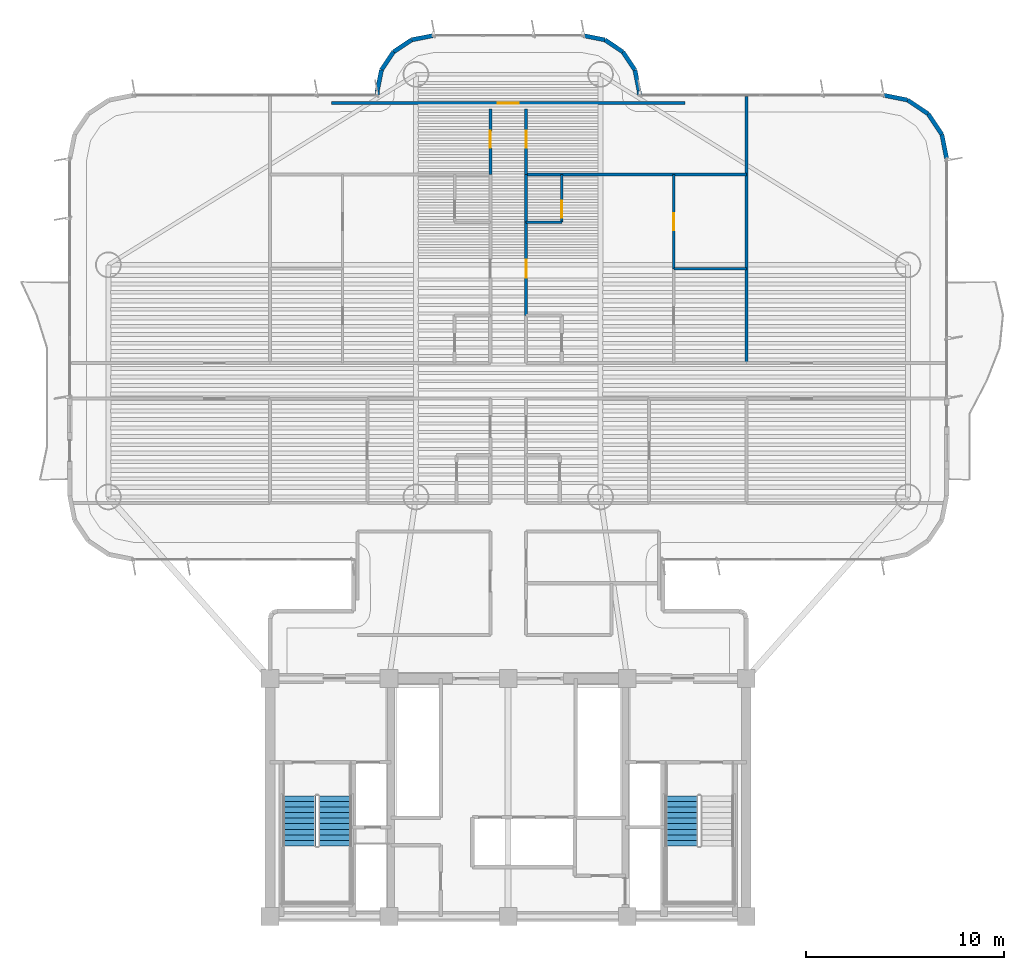
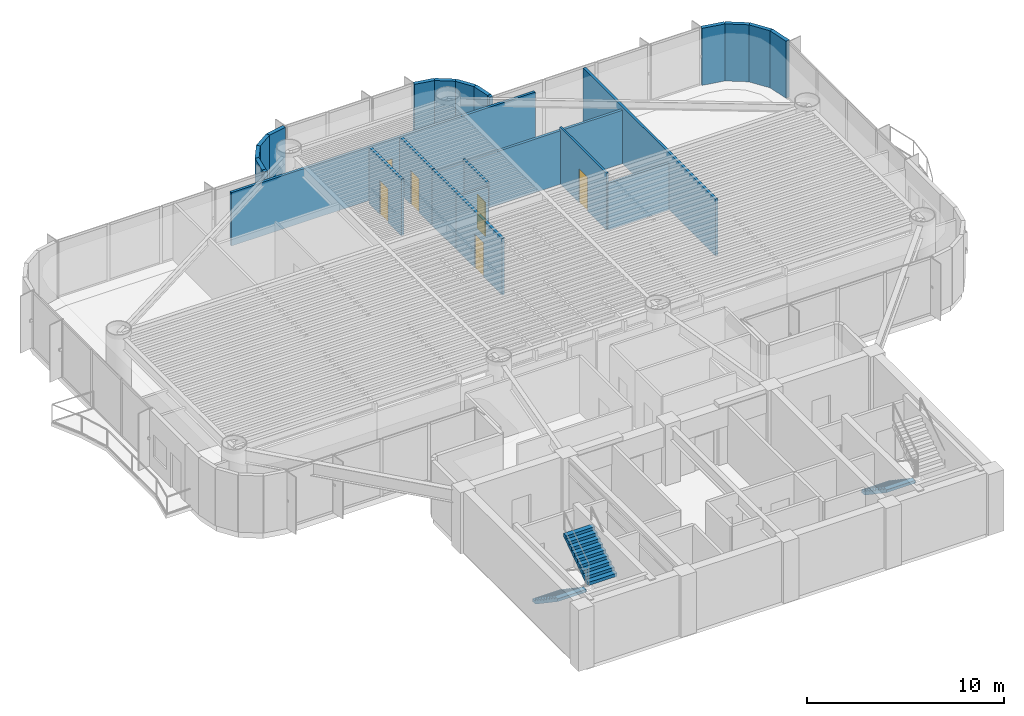
# One storey, part 12 of 17: 25 walls, 6 doors, 3 stair flights, 6 openings, 2 elements without a shape of their own.
"""IFC4 building model written with IfcOpenShell, lengths in metres."""

import ifcopenshell
import ifcopenshell.guid

model = None  # the IFC model being written
_history = None  # IfcOwnerHistory: only IFC2X3 demands one
_inside = {}  # id of a spatial element -> (the spatial element, [elements in it])
_under = {}  # id of a project, library or spatial element -> (it, [spatial elements below it])
_declared = {}  # id of a project -> (the project, [libraries it declares])
_typed = {}  # id of a type object -> (the type object, [elements of that type])
_made_of = {}  # id of a material, layer set ... -> (it, [elements and type objects made of it])


def new_model(schema):
    """Start an empty IFC model of exactly this schema.

    Asked for "IFC4X3", IfcOpenShell would pick the latest addendum, in which some entities
    have other attributes; the version numbers below select the first issue.
    IFC2X3 requires an IfcOwnerHistory on every rooted entity: one is made here for all.
    """
    global model, _history
    if schema == "IFC4X3":
        model = ifcopenshell.file(schema_version=(4, 3, 0, 0))
    else:
        model = ifcopenshell.file(schema=schema)
    _inside.clear()
    _under.clear()
    _declared.clear()
    _typed.clear()
    _made_of.clear()
    _history = None
    if model.schema == "IFC2X3":
        org = make("IfcOrganization", Name="unknown")
        user = make(
            "IfcPersonAndOrganization",
            ThePerson=make("IfcPerson", FamilyName="unknown"),
            TheOrganization=org,
        )
        app = make(
            "IfcApplication",
            ApplicationDeveloper=org,
            Version="unknown",
            ApplicationFullName="unknown",
            ApplicationIdentifier="unknown",
        )
        _history = make(
            "IfcOwnerHistory",
            OwningUser=user,
            OwningApplication=app,
            ChangeAction="ADDED",
            CreationDate=0,
        )
    return model


def make(cls, **values):
    """One entity of the class cls with the attributes given. An attribute that is None is left unset."""
    return model.create_entity(
        cls, **{name: value for name, value in values.items() if value is not None}
    )


def rooted(cls, **values):
    """An entity with a GlobalId (a new one), such as an element, a storey or a relation."""
    return make(cls, GlobalId=ifcopenshell.guid.new(), OwnerHistory=_history, **values)


def si_unit(unit_type, name, prefix=None):
    """IfcSIUnit, for example si_unit("LENGTHUNIT", "METRE", prefix="MILLI")."""
    return make("IfcSIUnit", UnitType=unit_type, Prefix=prefix, Name=name)


def assignment(units):
    """IfcUnitAssignment: the units of a project."""
    return None if units is None else make("IfcUnitAssignment", Units=units)


def point(xyz):
    """IfcCartesianPoint."""
    return None if xyz is None else make("IfcCartesianPoint", Coordinates=xyz)


def direction(xyz):
    """IfcDirection."""
    return None if xyz is None else make("IfcDirection", DirectionRatios=xyz)


def frame(location, z_axis=None, x_axis=None):
    """IfcAxis2Placement3D, a coordinate frame: its origin and axes. An axis left out is left unset."""
    return make(
        "IfcAxis2Placement3D",
        Location=point(location),
        Axis=direction(z_axis),
        RefDirection=direction(x_axis),
    )


def frame_2d(location, x_axis=None):
    """IfcAxis2Placement2D, a coordinate frame in the plane: its origin and x axis."""
    return make(
        "IfcAxis2Placement2D", Location=point(location), RefDirection=direction(x_axis)
    )


def origin():
    """The frame at (0, 0, 0) with its axes left unset."""
    return frame((0.0, 0.0, 0.0))


def origin_2d():
    """The frame at (0, 0) in the plane with its x axis left unset."""
    return frame_2d((0.0, 0.0))


def place(relative_to, where):
    """IfcLocalPlacement: puts the frame where relative to a parent placement (None: the world)."""
    return make(
        "IfcLocalPlacement", PlacementRelTo=relative_to, RelativePlacement=where
    )


def context(
    kind, dimensions, precision=None, world=None, true_north=None, identifier=None
):
    """IfcGeometricRepresentationContext, for example the 3D "Model" context."""
    return make(
        "IfcGeometricRepresentationContext",
        ContextIdentifier=identifier,
        ContextType=kind,
        CoordinateSpaceDimension=dimensions,
        Precision=precision,
        WorldCoordinateSystem=world,
        TrueNorth=true_north,
    )


def subcontext(parent, identifier, kind, view, scale=None):
    """IfcGeometricRepresentationSubContext, for example "Body" below "Model"."""
    return make(
        "IfcGeometricRepresentationSubContext",
        ContextIdentifier=identifier,
        ContextType=kind,
        ParentContext=parent,
        TargetScale=scale,
        TargetView=view,
    )


def project(units=None, contexts=None):
    """IfcProject with its units and contexts."""
    return rooted(
        "IfcProject",
        Name="project",
        RepresentationContexts=contexts,
        UnitsInContext=assignment(units),
    )


def spatial(cls, under=None, at=None, **own):
    """A site, building, storey or space (cls), placed at a placement, below another one or the project."""
    s = rooted(cls, ObjectPlacement=at, **own)
    if under is not None:
        _under.setdefault(under.id(), (under, []))[1].append(s)
    return s


def polyline(points):
    """IfcPolyline through the points."""
    return make("IfcPolyline", Points=[point(p) for p in points])


def profile(cls, at=None, kind="AREA", **sizes):
    """A parametric profile (cls). Its sizes go by their IFC names, for example OverallWidth=200.0."""
    return make(cls, ProfileType=kind, Position=at, **sizes)


def rectangle(**sizes):
    """IfcRectangleProfileDef."""
    return profile("IfcRectangleProfileDef", **sizes)


def outline(outer, holes=None, kind="AREA"):
    """IfcArbitraryClosedProfileDef: a profile drawn as a closed curve; with holes, ...WithVoids."""
    if holes is None:
        return make("IfcArbitraryClosedProfileDef", ProfileType=kind, OuterCurve=outer)
    return make(
        "IfcArbitraryProfileDefWithVoids",
        ProfileType=kind,
        OuterCurve=outer,
        InnerCurves=holes,
    )


def extrude(swept, where, along, depth):
    """IfcExtrudedAreaSolid: the profile swept, set in the frame where, extruded along a direction by depth."""
    return make(
        "IfcExtrudedAreaSolid",
        SweptArea=swept,
        Position=where,
        ExtrudedDirection=direction(along),
        Depth=depth,
    )


def shape(context_of_items, identifier, shape_type, items):
    """IfcShapeRepresentation: the items that make up one representation, for example the "Body"."""
    return make(
        "IfcShapeRepresentation",
        ContextOfItems=context_of_items,
        RepresentationIdentifier=identifier,
        RepresentationType=shape_type,
        Items=items,
    )


def source(mapping_origin, context_of_items, identifier, shape_type, items):
    """IfcRepresentationMap: a shape defined once, which mapped items show again and again."""
    return make(
        "IfcRepresentationMap",
        MappingOrigin=mapping_origin,
        MappedRepresentation=shape(context_of_items, identifier, shape_type, items),
    )


def transform(
    local_origin,
    x_axis=None,
    y_axis=None,
    z_axis=None,
    scale=None,
    scale2=None,
    scale3=None,
    uniform=True,
):
    """IfcCartesianTransformationOperator3D, or its non-uniform kind. x_axis, y_axis, z_axis: its Axis1, 2, 3."""
    if uniform:
        return make(
            "IfcCartesianTransformationOperator3D",
            Axis1=direction(x_axis),
            Axis2=direction(y_axis),
            LocalOrigin=point(local_origin),
            Scale=scale,
            Axis3=direction(z_axis),
        )
    return make(
        "IfcCartesianTransformationOperator3DnonUniform",
        Axis1=direction(x_axis),
        Axis2=direction(y_axis),
        LocalOrigin=point(local_origin),
        Scale=scale,
        Axis3=direction(z_axis),
        Scale2=scale2,
        Scale3=scale3,
    )


def mapped(mapping_source, mapping_target):
    """IfcMappedItem: shows the shape of a source again, moved by a transform."""
    return make(
        "IfcMappedItem", MappingSource=mapping_source, MappingTarget=mapping_target
    )


def material(Name=None, Category=None):
    """IfcMaterial."""
    return make("IfcMaterial", Name=Name, Category=Category)


def layer(
    of_material, thickness, ventilated=None, Name=None, Category=None, Priority=None
):
    """IfcMaterialLayer: one layer of a wall or slab, of a material (None: an air gap)."""
    return make(
        "IfcMaterialLayer",
        Material=of_material,
        LayerThickness=thickness,
        IsVentilated=ventilated,
        Name=Name,
        Category=Category,
        Priority=Priority,
    )


def layer_set(layers, Name=None):
    """IfcMaterialLayerSet."""
    return make("IfcMaterialLayerSet", MaterialLayers=layers, LayerSetName=Name)


def made_of(thing, what):
    """Note that an element or type object is made of a material, layer set ...; save() writes the relation."""
    if what is not None:
        _made_of.setdefault(what.id(), (what, []))[1].append(thing)
    return thing


def type_object(cls, material=None, **own):
    """A type object (cls), such as IfcWallType, which elements share."""
    return made_of(rooted(cls, **own), material)


def element(
    cls,
    number,
    at=None,
    inside=None,
    cuts=None,
    type_object=None,
    material=None,
    context=None,
    identifier="Body",
    shape_type=None,
    held_by="IfcProductDefinitionShape",
    body=None,
    shapes=None,
    **own,
):
    """One element of the class cls, such as IfcWall. Its Tag is "e" and its number.

    at: its placement. inside: the storey or other place that contains it. cuts: it is an
    opening in that element (IfcRelVoidsElement). A single representation is given by context,
    identifier, shape_type and body (its items); several are given by shapes. held_by: the class
    of the entity that holds the representations. save() writes the other relations.
    """
    e = rooted(cls, Tag="e%d" % number, ObjectPlacement=at, **own)
    if body is not None:
        shapes = [shape(context, identifier, shape_type, body)]
    if shapes is not None:
        e.Representation = make(held_by, Representations=shapes)
    if inside is not None:
        _inside.setdefault(inside.id(), (inside, []))[1].append(e)
    if cuts is not None:
        rooted(
            "IfcRelVoidsElement", RelatingBuildingElement=cuts, RelatedOpeningElement=e
        )
    if type_object is not None:
        _typed.setdefault(type_object.id(), (type_object, []))[1].append(e)
    return made_of(e, material)


def fill(opening, filler):
    """IfcRelFillsElement: the door or window that sits in an opening."""
    return rooted(
        "IfcRelFillsElement",
        RelatingOpeningElement=opening,
        RelatedBuildingElement=filler,
    )


def aggregate(whole, parts):
    """IfcRelAggregates: a whole, such as a stair, and the parts it consists of."""
    return rooted("IfcRelAggregates", RelatingObject=whole, RelatedObjects=parts)


def save(model, path):
    """Write the relations noted so far, then the file.

    IfcRelAggregates (storeys below a building ...), IfcRelContainedInSpatialStructure (elements
    in a storey), IfcRelDefinesByType, IfcRelAssociatesMaterial and IfcRelDeclares: one each for
    every whole, place, type object, material and project.
    """
    for whole, parts in _under.values():
        aggregate(whole, parts)
    for where, things in _inside.values():
        rooted(
            "IfcRelContainedInSpatialStructure",
            RelatedElements=things,
            RelatingStructure=where,
        )
    for kind, things in _typed.values():
        rooted("IfcRelDefinesByType", RelatedObjects=things, RelatingType=kind)
    for what, things in _made_of.values():
        rooted("IfcRelAssociatesMaterial", RelatedObjects=things, RelatingMaterial=what)
    for by, libraries in _declared.values():
        rooted("IfcRelDeclares", RelatingContext=by, RelatedDefinitions=libraries)
    model.write(path)


model = new_model("IFC4")

# Units and contexts
model_context = context("Model", 3, precision=1e-05, world=origin(), true_north=direction((0.0, 1.0)))
body_context = subcontext(model_context, "Body", "Model", "MODEL_VIEW")
ifc_project = project(units=[si_unit("LENGTHUNIT", "METRE"), si_unit("AREAUNIT", "SQUARE_METRE"), si_unit("VOLUMEUNIT", "CUBIC_METRE"), si_unit("PLANEANGLEUNIT", "RADIAN"), si_unit("MASSUNIT", "GRAM", prefix="KILO")], contexts=[model_context])

# Site, building, storey
site_placement = place(None, origin())
site = spatial("IfcSite", under=ifc_project, at=site_placement, CompositionType="ELEMENT")
building_placement = place(site_placement, origin())
building = spatial("IfcBuilding", under=site, at=building_placement, Name="Brelvock Crest Care Tower", CompositionType="ELEMENT")
storey_placement = place(building_placement, frame((0.0, 0.0, 89.820068359375)))
storey = spatial("IfcBuildingStorey", under=building, at=storey_placement, Name="L22", CompositionType="ELEMENT", Elevation=89.820068359375)

# Walls
ifc_material_1 = material(Name="Precast concrete N40 (40 MPa)", Category="concrete")
ifc_layer_1 = layer(ifc_material_1, 0.215087890625, Name="WL-EX2")
ifc_layer_set_1 = layer_set([ifc_layer_1], Name="Precast concrete N40 (40 MPa)")
wall_type_1 = type_object("IfcWallType", Name="WL-EX2", PredefinedType="SOLIDWALL", material=ifc_layer_set_1)
wall_1_placement = place(storey_placement, frame((29.39990234375, 47.39990234375, 0.0), z_axis=(0.0, 0.0, 1.0), x_axis=(0.0, 1.0, 0.0)))
element("IfcWall", 1, at=wall_1_placement, inside=storey, type_object=wall_type_1, Name="L22 Rounded Corner Wall 23", PredefinedType="SOLIDWALL", context=body_context, shape_type="SweptSolid", body=[
    extrude(rectangle(XDim=0.2001953125, YDim=0.215087890625, at=frame_2d((0.10009765625, 0.0))), origin(), (0.0, 0.0, 1.0), 3.530029296875),
])
wall_2_placement = place(storey_placement, frame((29.39990234375, 47.60009765625, 0.0), z_axis=(0.0, 0.0, 1.0), x_axis=(0.195127417394, 0.980777900945, 0.0)))
element("IfcWall", 2, at=wall_2_placement, inside=storey, type_object=wall_type_1, Name="L22 Rounded Corner Wall 24", PredefinedType="SOLIDWALL", context=body_context, shape_type="SweptSolid", body=[
    extrude(rectangle(XDim=1.09228515625, YDim=0.215087890625, at=frame_2d((0.546142578125, 0.0))), origin(), (0.0, 0.0, 1.0), 3.530029296875),
])
wall_3_placement = place(storey_placement, frame((29.613037109375, 48.67138671875, 0.0), z_axis=(0.0, 0.0, 1.0), x_axis=(0.555679482341, 0.831396603857, 0.0)))
element("IfcWall", 3, at=wall_3_placement, inside=storey, type_object=wall_type_1, Name="L22 Rounded Corner Wall 25", PredefinedType="SOLIDWALL", context=body_context, shape_type="SweptSolid", body=[
    extrude(rectangle(XDim=1.0927734375, YDim=0.215087890625, at=frame_2d((0.54638671875, 0.0))), origin(), (0.0, 0.0, 1.0), 3.530029296875),
])
for number, where, z_axis, x_axis, name in (
    (4, (30.22021484375, 49.579833984375, 0.0), (0.0, 0.0, 1.0), (0.831327592857, 0.555782721353, 0.0), "L22 Rounded Corner Wall 26"),
    (5, (31.12841796875, 50.18701171875, 0.0), (0.0, 0.0, 1.0), (0.980829143587, 0.194869677195, 0.0), "L22 Rounded Corner Wall 27"),
    (6, (39.800048828125, 50.39990234375, 0.0), (0.0, 0.0, 1.0), (0.980829143587, -0.194869677195, 0.0), "L22 Rounded Corner Wall 29"),
    (7, (40.87158203125, 50.18701171875, 0.0), (0.0, 0.0, 1.0), (0.831327592857, -0.555782721353, 0.0), "L22 Rounded Corner Wall 30"),
):
    element("IfcWall", number, at=place(storey_placement, frame(where, z_axis=z_axis, x_axis=x_axis)), inside=storey, type_object=wall_type_1, Name=name, PredefinedType="SOLIDWALL", context=body_context, shape_type="SweptSolid", body=[
        extrude(rectangle(XDim=1.092529296875, YDim=0.215087890625, at=frame_2d((0.54638671875, 0.0))), origin(), (0.0, 0.0, 1.0), 3.530029296875),
    ])
wall_4_placement = place(storey_placement, frame((41.77978515625, 49.579833984375, 0.0), z_axis=(0.0, 0.0, 1.0), x_axis=(0.555679482341, -0.831396603857, 0.0)))
element("IfcWall", 8, at=wall_4_placement, inside=storey, type_object=wall_type_1, Name="L22 Rounded Corner Wall 31", PredefinedType="SOLIDWALL", context=body_context, shape_type="SweptSolid", body=[
    extrude(rectangle(XDim=1.0927734375, YDim=0.215087890625, at=frame_2d((0.54638671875, 0.0))), origin(), (0.0, 0.0, 1.0), 3.530029296875),
])
wall_5_placement = place(storey_placement, frame((42.386962890625, 48.67138671875, 0.0), z_axis=(0.0, 0.0, 1.0), x_axis=(0.195127417394, -0.980777900945, 0.0)))
element("IfcWall", 9, at=wall_5_placement, inside=storey, type_object=wall_type_1, Name="L22 Rounded Corner Wall 32", PredefinedType="SOLIDWALL", context=body_context, shape_type="SweptSolid", body=[
    extrude(rectangle(XDim=1.09228515625, YDim=0.215087890625, at=frame_2d((0.546142578125, 0.0))), origin(), (0.0, 0.0, 1.0), 3.530029296875),
])
wall_6_placement = place(storey_placement, frame((42.60009765625, 47.60009765625, 0.0), z_axis=(0.0, 0.0, 1.0), x_axis=(0.0, -1.0, 0.0)))
element("IfcWall", 10, at=wall_6_placement, inside=storey, type_object=wall_type_1, Name="L22 Rounded Corner Wall 33", PredefinedType="SOLIDWALL", context=body_context, shape_type="SweptSolid", body=[
    extrude(rectangle(XDim=0.2001953125, YDim=0.215087890625, at=frame_2d((0.10009765625, 0.0))), origin(), (0.0, 0.0, 1.0), 3.530029296875),
])
for number, where, z_axis, x_axis, name in (
    (11, (54.89990234375, 47.39990234375, 0.0), (0.0, 0.0, 1.0), (0.980813122964, -0.194950295773, 0.0), "L22 Rounded Corner Wall 35"),
    (12, (56.12451171875, 47.156494140625, 0.0), (0.0, 0.0, 1.0), (0.831387912822, -0.555692485475, 0.0), "L22 Rounded Corner Wall 36"),
    (13, (57.16259765625, 46.462646484375, 0.0), (0.0, 0.0, 1.0), (0.555692485475, -0.831387912822, 0.0), "L22 Rounded Corner Wall 37"),
    (14, (57.8564453125, 45.424560546875, 0.0), (0.0, 0.0, 1.0), (0.195138390419, -0.980775717779, 0.0), "L22 Rounded Corner Wall 38"),
):
    element("IfcWall", number, at=place(storey_placement, frame(where, z_axis=z_axis, x_axis=x_axis)), inside=storey, type_object=wall_type_1, Name=name, PredefinedType="SOLIDWALL", context=body_context, shape_type="SweptSolid", body=[
        extrude(rectangle(XDim=1.24853515625, YDim=0.215087890625, at=frame_2d((0.624267578125, 0.0))), origin(), (0.0, 0.0, 1.0), 3.530029296875),
    ])
ifc_material_2 = material(Name="Masonry Blockwork Acoustic Partition", Category="masonry")
ifc_layer_2 = layer(ifc_material_2, 0.14990234375, Name="WL-INT1")
ifc_layer_set_2 = layer_set([ifc_layer_2], Name="Masonry Blockwork Acoustic Partition")
wall_type_2 = type_object("IfcWallType", Name="WL-INT1", PredefinedType="PARTITIONING", material=ifc_layer_set_2)
wall_7_placement = place(storey_placement, frame((36.89990234375, 43.39990234375, 0.0), z_axis=(0.0, 0.0, 1.0), x_axis=(1.0, 0.0, 0.0)))
element("IfcWall", 15, at=wall_7_placement, inside=storey, type_object=wall_type_2, Name="L22 Interior Wall WL-BX-L22-FL-INEI-N", PredefinedType="PARTITIONING", context=body_context, shape_type="SweptSolid", body=[
    extrude(rectangle(XDim=11.10009765625, YDim=0.14990234375, at=frame_2d((5.550048828125, 0.0))), origin(), (0.0, 0.0, 1.0), 3.307861328125),
])

# Wall, opening, door
wall_8_placement = place(storey_placement, frame((27.10009765625, 47.0, 0.0), z_axis=(0.0, 0.0, 1.0), x_axis=(1.0, 0.0, 0.0)))
wall_8 = element("IfcWall", 16, at=wall_8_placement, inside=storey, type_object=wall_type_2, Name="L22 Interior Wall WL-RM-L22-NHUB", PredefinedType="PARTITIONING", context=body_context, shape_type="SweptSolid", body=[
    extrude(rectangle(XDim=17.7998046875, YDim=0.14990234375, at=frame_2d((8.89990234375, 0.0))), origin(), (0.0, 0.0, 1.0), 3.307861328125),
])
opening_1_placement = place(wall_8_placement, frame((8.375, 0.0, 0.0)))
opening_1 = element("IfcOpeningElement", 17, at=opening_1_placement, cuts=wall_8, Name="Opening CLD-1", PredefinedType="OPENING", context=body_context, shape_type="SweptSolid", body=[
    extrude(rectangle(XDim=1.050048828125, YDim=2.10009765625, at=origin_2d()), frame((0.52490234375, 0.0849609375, 1.050048828125), z_axis=(0.0, -1.0, 0.0), x_axis=(1.0, 0.0, 0.0)), (0.0, 0.0, 1.0), 0.169921875),
])
ifc_material_3 = material(Name="Engineered Hardwood Timber", Category="wood")
door_type_1 = type_object("IfcDoorType", Name="DR-CLN1", OperationType="NOTDEFINED", PredefinedType="DOOR", material=ifc_material_3)
shared_shape_1 = source(origin(), body_context, "Body", "SweptSolid", [
    extrude(rectangle(XDim=1.050048828125, YDim=2.10009765625, at=origin_2d()), frame((0.52490234375, 0.02490234375, 1.050048828125), z_axis=(0.0, -1.0, 0.0), x_axis=(1.0, 0.0, 0.0)), (0.0, 0.0, 1.0), 0.050048828125),
])
door_1_placement = place(opening_1_placement, origin())
door_1 = element("IfcDoor", 18, at=door_1_placement, inside=storey, type_object=door_type_1, Name="L22 North Panorama Sunroom Door NHUB", OperationType="SINGLE_SWING_LEFT", OverallHeight=2.10009765625, OverallWidth=1.050048828125, PredefinedType="DOOR", context=body_context, shape_type="MappedRepresentation", body=[
    mapped(shared_shape_1, transform((0.0, 0.0, 0.0), x_axis=(1.0, 0.0, 0.0), y_axis=(0.0, 1.0, 0.0), z_axis=(0.0, 0.0, 1.0), scale=1.0)),
])
fill(opening_1, door_1)

wall_9_placement = place(storey_placement, frame((35.10009765625, 43.39990234375, 0.0), z_axis=(0.0, 0.0, 1.0), x_axis=(0.0, 1.0, 0.0)))
wall_9 = element("IfcWall", 19, at=wall_9_placement, inside=storey, type_object=wall_type_2, Name="L22 Interior Wall WL-RM-L22-INWN", PredefinedType="PARTITIONING", context=body_context, shape_type="SweptSolid", body=[
    extrude(rectangle(XDim=3.300048828125, YDim=0.14990234375, at=frame_2d((1.64990234375, 0.0))), origin(), (0.0, 0.0, 1.0), 3.5),
])
opening_2_placement = place(wall_9_placement, frame((1.340087890625, 0.0, 0.0)))
opening_2 = element("IfcOpeningElement", 20, at=opening_2_placement, cuts=wall_9, Name="Opening ID-1", PredefinedType="OPENING", context=body_context, shape_type="SweptSolid", body=[
    extrude(rectangle(XDim=0.860107421875, YDim=2.10009765625, at=origin_2d()), frame((0.43017578125, 0.0849609375, 1.050048828125), z_axis=(0.0, -1.0, 0.0), x_axis=(1.0, 0.0, 0.0)), (0.0, 0.0, 1.0), 0.169921875),
])
door_type_2 = type_object("IfcDoorType", Name="DR-INT1", OperationType="NOTDEFINED", PredefinedType="DOOR", material=ifc_material_3)
shared_shape_2 = source(origin(), body_context, "Body", "SweptSolid", [
    extrude(rectangle(XDim=0.860107421875, YDim=2.10009765625, at=origin_2d()), frame((0.43017578125, 0.02490234375, 1.050048828125), z_axis=(0.0, -1.0, 0.0), x_axis=(1.0, 0.0, 0.0)), (0.0, 0.0, 1.0), 0.050048828125),
])
door_2_placement = place(opening_2_placement, origin())
door_2 = element("IfcDoor", 21, at=door_2_placement, inside=storey, type_object=door_type_2, Name="L22 Harbour Reading Alcove Door INWN", OperationType="SINGLE_SWING_LEFT", OverallHeight=2.10009765625, OverallWidth=0.860107421875, PredefinedType="DOOR", context=body_context, shape_type="MappedRepresentation", body=[
    mapped(shared_shape_2, transform((0.0, 0.0, 0.0), x_axis=(1.0, 0.0, 0.0), y_axis=(0.0, 1.0, 0.0), z_axis=(0.0, 0.0, 1.0), scale=1.0)),
])
fill(opening_2, door_2)

wall_10_placement = place(storey_placement, frame((36.89990234375, 36.300048828125, 0.0), z_axis=(0.0, 0.0, 1.0), x_axis=(0.0, 1.0, 0.0)))
wall_10 = element("IfcWall", 22, at=wall_10_placement, inside=storey, type_object=wall_type_2, Name="L22 Interior Wall WL-UENT-L22-INEI", PredefinedType="PARTITIONING", context=body_context, shape_type="SweptSolid", body=[
    extrude(rectangle(XDim=4.699951171875, YDim=0.14990234375, at=frame_2d((2.35009765625, 0.0))), origin(), (0.0, 0.0, 1.0), 3.5),
])
opening_3_placement = place(wall_10_placement, frame((1.889892578125, 0.0, 0.0)))
opening_3 = element("IfcOpeningElement", 23, at=opening_3_placement, cuts=wall_10, Name="Opening AD-1", PredefinedType="OPENING", context=body_context, shape_type="SweptSolid", body=[
    extrude(rectangle(XDim=0.919921875, YDim=2.10009765625, at=origin_2d()), frame((0.4599609375, 0.0849609375, 1.050048828125), z_axis=(0.0, -1.0, 0.0), x_axis=(1.0, 0.0, 0.0)), (0.0, 0.0, 1.0), 0.169921875),
])
door_type_3 = type_object("IfcDoorType", Name="DR-APT1", OperationType="NOTDEFINED", PredefinedType="DOOR", material=ifc_material_3)
shared_shape_3 = source(origin(), body_context, "Body", "SweptSolid", [
    extrude(rectangle(XDim=0.919921875, YDim=2.10009765625, at=origin_2d()), frame((0.4599609375, 0.02490234375, 1.050048828125), z_axis=(0.0, -1.0, 0.0), x_axis=(1.0, 0.0, 0.0)), (0.0, 0.0, 1.0), 0.050048828125),
])
door_3_placement = place(opening_3_placement, origin())
door_3 = element("IfcDoor", 24, at=door_3_placement, inside=storey, type_object=door_type_3, Name="L22 Apartment Entrance INEI", OperationType="SINGLE_SWING_LEFT", OverallHeight=2.10009765625, OverallWidth=0.919921875, PredefinedType="DOOR", context=body_context, shape_type="MappedRepresentation", body=[
    mapped(shared_shape_3, transform((0.0, 0.0, 0.0), x_axis=(1.0, 0.0, 0.0), y_axis=(0.0, 1.0, 0.0), z_axis=(0.0, 0.0, 1.0), scale=1.0)),
])
fill(opening_3, door_3)

# Wall
wall_11_placement = place(storey_placement, frame((36.89990234375, 41.0, 0.0), z_axis=(0.0, 0.0, 1.0), x_axis=(0.0, 1.0, 0.0)))
element("IfcWall", 25, at=wall_11_placement, inside=storey, type_object=wall_type_2, Name="L22 Interior Wall WL-UCK-L22-INEI", PredefinedType="PARTITIONING", context=body_context, shape_type="SweptSolid", body=[
    extrude(rectangle(XDim=2.39990234375, YDim=0.14990234375, at=frame_2d((1.199951171875, 0.0))), origin(), (0.0, 0.0, 1.0), 3.5),
])

# Wall, opening, door
wall_12_placement = place(storey_placement, frame((36.89990234375, 43.39990234375, 0.0), z_axis=(0.0, 0.0, 1.0), x_axis=(0.0, 1.0, 0.0)))
wall_12 = element("IfcWall", 26, at=wall_12_placement, inside=storey, type_object=wall_type_2, Name="L22 Interior Wall WL-RM-L22-INEN", PredefinedType="PARTITIONING", context=body_context, shape_type="SweptSolid", body=[
    extrude(rectangle(XDim=3.300048828125, YDim=0.14990234375, at=frame_2d((1.64990234375, 0.0))), origin(), (0.0, 0.0, 1.0), 3.5),
])
opening_4_placement = place(wall_12_placement, frame((1.340087890625, 0.0, 0.0)))
opening_4 = element("IfcOpeningElement", 27, at=opening_4_placement, cuts=wall_12, Name="Opening ID-1", PredefinedType="OPENING", context=body_context, shape_type="SweptSolid", body=[
    extrude(rectangle(XDim=0.860107421875, YDim=2.10009765625, at=origin_2d()), frame((0.43017578125, 0.0849609375, 1.050048828125), z_axis=(0.0, -1.0, 0.0), x_axis=(1.0, 0.0, 0.0)), (0.0, 0.0, 1.0), 0.169921875),
])
door_4_placement = place(opening_4_placement, origin())
door_4 = element("IfcDoor", 28, at=door_4_placement, inside=storey, type_object=door_type_2, Name="L22 Botanical Tea Alcove Door INEN", OperationType="SINGLE_SWING_LEFT", OverallHeight=2.10009765625, OverallWidth=0.860107421875, PredefinedType="DOOR", context=body_context, shape_type="MappedRepresentation", body=[
    mapped(shared_shape_2, transform((0.0, 0.0, 0.0), x_axis=(1.0, 0.0, 0.0), y_axis=(0.0, 1.0, 0.0), z_axis=(0.0, 0.0, 1.0), scale=1.0)),
])
fill(opening_4, door_4)

# Walls
wall_13_placement = place(storey_placement, frame((48.0, 33.89990234375, 0.0), z_axis=(0.0, 0.0, 1.0), x_axis=(0.0, 1.0, 0.0)))
element("IfcWall", 29, at=wall_13_placement, inside=storey, type_object=wall_type_2, Name="L22 Interior Wall WL-BX-L22-INEO-W", PredefinedType="PARTITIONING", context=body_context, shape_type="SweptSolid", body=[
    extrude(rectangle(XDim=13.4208984375, YDim=0.14990234375, at=frame_2d((6.71044921875, 0.0))), origin(), (0.0, 0.0, 1.0), 3.5),
])
ifc_material_4 = material(Name="Gypsum Plasterboard Partition", Category="gypsum")
ifc_layer_3 = layer(ifc_material_4, 0.1201171875, Name="WL-INT2")
ifc_layer_set_3 = layer_set([ifc_layer_3], Name="Gypsum Plasterboard Partition")
wall_type_3 = type_object("IfcWallType", Name="WL-INT2", PredefinedType="PARTITIONING", material=ifc_layer_set_3)
wall_14_placement = place(storey_placement, frame((44.35009765625, 38.64990234375, 0.0), z_axis=(0.0, 0.0, 1.0), x_axis=(1.0, 0.0, 0.0)))
element("IfcWall", 30, at=wall_14_placement, inside=storey, type_object=wall_type_3, Name="L22 Interior Wall WL-UBSP-L22-INEI", PredefinedType="PARTITIONING", context=body_context, shape_type="SweptSolid", body=[
    extrude(rectangle(XDim=3.64990234375, YDim=0.1201171875, at=frame_2d((1.824951171875, 0.0))), origin(), (0.0, 0.0, 1.0), 2.90283203125),
])
wall_15_placement = place(storey_placement, frame((36.89990234375, 41.0, 0.0), z_axis=(0.0, 0.0, 1.0), x_axis=(1.0, 0.0, 0.0)))
element("IfcWall", 31, at=wall_15_placement, inside=storey, type_object=wall_type_3, Name="L22 Interior Wall WL-UKIT2-L22-INEI", PredefinedType="PARTITIONING", context=body_context, shape_type="SweptSolid", body=[
    extrude(rectangle(XDim=1.800048828125, YDim=0.1201171875, at=frame_2d((0.89990234375, 0.0))), origin(), (0.0, 0.0, 1.0), 3.259033203125),
])

# Wall, opening, door
wall_16_placement = place(storey_placement, frame((38.699951171875, 41.0, 0.0), z_axis=(0.0, 0.0, 1.0), x_axis=(0.0, 1.0, 0.0)))
wall_16 = element("IfcWall", 32, at=wall_16_placement, inside=storey, type_object=wall_type_3, Name="L22 Interior Wall WL-UKIT1-L22-INEI", PredefinedType="PARTITIONING", context=body_context, shape_type="SweptSolid", body=[
    extrude(rectangle(XDim=2.39990234375, YDim=0.1201171875, at=frame_2d((1.199951171875, 0.0))), origin(), (0.0, 0.0, 1.0), 3.5),
])
opening_5_placement = place(wall_16_placement, frame((0.219970703125, 0.0, 0.0)))
opening_5 = element("IfcOpeningElement", 33, at=opening_5_placement, cuts=wall_16, Name="Opening ID-1", PredefinedType="OPENING", context=body_context, shape_type="SweptSolid", body=[
    extrude(rectangle(XDim=0.860107421875, YDim=2.10009765625, at=origin_2d()), frame((0.43017578125, 0.070068359375, 1.050048828125), z_axis=(0.0, -1.0, 0.0), x_axis=(1.0, 0.0, 0.0)), (0.0, 0.0, 1.0), 0.14013671875),
])
door_5_placement = place(opening_5_placement, origin())
door_5 = element("IfcDoor", 34, at=door_5_placement, inside=storey, type_object=door_type_2, Name="L22 Kitchen Door INEI", OperationType="SINGLE_SWING_RIGHT", OverallHeight=2.10009765625, OverallWidth=0.860107421875, PredefinedType="DOOR", context=body_context, shape_type="MappedRepresentation", body=[
    mapped(shared_shape_2, transform((0.0, 0.0, 0.0), x_axis=(1.0, 0.0, 0.0), y_axis=(0.0, 1.0, 0.0), z_axis=(0.0, 0.0, 1.0), scale=1.0)),
])
fill(opening_5, door_5)

wall_17_placement = place(storey_placement, frame((44.35009765625, 38.64990234375, 0.0), z_axis=(0.0, 0.0, 1.0), x_axis=(0.0, 1.0, 0.0)))
wall_17 = element("IfcWall", 35, at=wall_17_placement, inside=storey, type_object=wall_type_3, Name="L22 Interior Wall WL-UBD2-L22-INEI", PredefinedType="PARTITIONING", context=body_context, shape_type="SweptSolid", body=[
    extrude(rectangle(XDim=4.75, YDim=0.1201171875, at=frame_2d((2.375, 0.0))), origin(), (0.0, 0.0, 1.0), 3.5),
])
opening_6_placement = place(wall_17_placement, frame((1.945068359375, 0.0, 0.0)))
opening_6 = element("IfcOpeningElement", 36, at=opening_6_placement, cuts=wall_17, Name="Opening ID-1", PredefinedType="OPENING", context=body_context, shape_type="SweptSolid", body=[
    extrude(rectangle(XDim=0.860107421875, YDim=2.10009765625, at=origin_2d()), frame((0.43017578125, 0.070068359375, 1.050048828125), z_axis=(0.0, -1.0, 0.0), x_axis=(1.0, 0.0, 0.0)), (0.0, 0.0, 1.0), 0.14013671875),
])
door_6_placement = place(opening_6_placement, origin())
door_6 = element("IfcDoor", 37, at=door_6_placement, inside=storey, type_object=door_type_2, Name="L22 Second Room Door INEI", OperationType="SINGLE_SWING_LEFT", OverallHeight=2.10009765625, OverallWidth=0.860107421875, PredefinedType="DOOR", context=body_context, shape_type="MappedRepresentation", body=[
    mapped(shared_shape_2, transform((0.0, 0.0, 0.0), x_axis=(1.0, 0.0, 0.0), y_axis=(0.0, 1.0, 0.0), z_axis=(0.0, 0.0, 1.0), scale=1.0)),
])
fill(opening_6, door_6)

# Stair, stair flights
ifc_material_5 = material(Name="Concrete N40 (40 MPa)", Category="concrete")
stair_type = type_object("IfcStairType", Name="ST-CORE1", PredefinedType="HALF_TURN_STAIR", material=ifc_material_5)
stair_1_placement = place(storey_placement, origin())
stair_1 = element("IfcStair", 38, at=stair_1_placement, inside=storey, type_object=stair_type, Name="L22 Fire-Isolated Core Stair ST-1", PredefinedType="HALF_TURN_STAIR")
stair_flight_type = type_object("IfcStairFlightType", Name="STF-1", PredefinedType="STRAIGHT", material=ifc_material_5)
stair_flight_1_placement = place(storey_placement, frame((25.469970703125, 12.080078125, 0.0), z_axis=(0.0, 0.0, 1.0), x_axis=(0.0, -1.0, 0.0)))
stair_flight_1 = element("IfcStairFlight", 39, at=stair_flight_1_placement, type_object=stair_flight_type, Name="ST-1 flight 1", NumberOfRisers=10, NumberOfTreads=9, PredefinedType="STRAIGHT", RiserHeight=0.189, TreadLength=0.28, context=body_context, shape_type="SweptSolid", body=[
    extrude(outline(polyline([(-0.00390625, -0.014892578125), (-0.00390625, -0.0078125), (-0.00390625, -0.00048828125), (-0.00390625, 0.0068359375), (-0.00390625, 0.01416015625), (-0.00390625, 0.021484375), (-0.00390625, 0.02880859375), (-0.00390625, 0.035888671875), (-0.00390625, 0.043212890625), (-0.00390625, 0.050537109375), (-0.00390625, 0.057861328125), (-0.00390625, 0.065185546875), (-0.00390625, 0.072509765625), (-0.00390625, 0.07958984375), (-0.00390625, 0.0869140625), (-0.00390625, 0.09423828125), (-0.00390625, 0.1015625), (-0.00390625, 0.10888671875), (-0.00390625, 0.1162109375), (-0.00390625, 0.12353515625), (-0.00390625, 0.130615234375), (-0.00390625, 0.137939453125), (-0.00390625, 0.145263671875), (-0.00390625, 0.152587890625), (-0.00390625, 0.159912109375), (-0.00390625, 0.167236328125), (-0.00390625, 0.17431640625), (-0.00390625, 0.181640625), (-0.00390625, 0.18896484375), (0.0, 0.18896484375), (0.280029296875, 0.18896484375), (0.280029296875, 0.3779296875), (0.56005859375, 0.3779296875), (0.56005859375, 0.56689453125), (0.840087890625, 0.56689453125), (0.840087890625, 0.756103515625), (1.1201171875, 0.756103515625), (1.1201171875, 0.945068359375), (1.39990234375, 0.945068359375), (1.39990234375, 1.134033203125), (1.679931640625, 1.134033203125), (1.679931640625, 1.322998046875), (1.9599609375, 1.322998046875), (1.9599609375, 1.511962890625), (2.239990234375, 1.511962890625), (2.239990234375, 1.700927734375), (2.52001953125, 1.700927734375), (2.52392578125, 1.700927734375), (2.523681640625, 1.70068359375), (2.52392578125, 1.700439453125), (2.523681640625, 1.699951171875), (2.52392578125, 1.69970703125), (2.523681640625, 1.699462890625), (2.52392578125, 1.698974609375), (2.523681640625, 1.69873046875), (2.52392578125, 1.698486328125), (2.523681640625, 1.697998046875), (2.52392578125, 1.69775390625), (2.523681640625, 1.697509765625), (2.52392578125, 1.697021484375), (2.523681640625, 1.69677734375), (2.52392578125, 1.696533203125), (2.523681640625, 1.6962890625), (2.52392578125, 1.69580078125), (2.523681640625, 1.695556640625), (2.52392578125, 1.6953125), (2.523681640625, 1.69482421875), (2.52392578125, 1.694580078125), (2.523681640625, 1.6943359375), (2.52392578125, 1.69384765625), (2.523681640625, 1.693603515625), (2.52392578125, 1.693359375), (2.523681640625, 1.69287109375), (2.52392578125, 1.692626953125), (2.523681640625, 1.6923828125), (2.52392578125, 1.69189453125), (2.52001953125, 1.520263671875), (0.267822265625, 0.0), (0.0, 0.0), (0.0, -0.014892578125), (-0.00390625, -0.014892578125)])), frame((0.0, 0.83984375, 0.0), z_axis=(0.0, -1.0, 0.0), x_axis=(1.0, 0.0, 0.0)), (0.0, 0.0, 1.0), 1.679931640625),
])
stair_flight_2_placement = place(storey_placement, frame((27.27001953125, 9.56005859375, 1.889892578125), z_axis=(0.0, 0.0, 1.0), x_axis=(0.0, 1.0, 0.0)))
stair_flight_2 = element("IfcStairFlight", 40, at=stair_flight_2_placement, type_object=stair_flight_type, Name="ST-1 flight 2", NumberOfRisers=10, NumberOfTreads=9, PredefinedType="STRAIGHT", RiserHeight=0.189, TreadLength=0.28, context=body_context, shape_type="SweptSolid", body=[
    extrude(outline(polyline([(-0.00390625, -0.014892578125), (-0.00390625, -0.0078125), (-0.00390625, -0.00048828125), (-0.00390625, 0.0068359375), (-0.00390625, 0.01416015625), (-0.00390625, 0.021484375), (-0.00390625, 0.02880859375), (-0.00390625, 0.035888671875), (-0.00390625, 0.043212890625), (-0.00390625, 0.050537109375), (-0.00390625, 0.057861328125), (-0.00390625, 0.065185546875), (-0.00390625, 0.072509765625), (-0.00390625, 0.07958984375), (-0.00390625, 0.0869140625), (-0.00390625, 0.09423828125), (-0.00390625, 0.1015625), (-0.00390625, 0.10888671875), (-0.00390625, 0.1162109375), (-0.00390625, 0.12353515625), (-0.00390625, 0.130615234375), (-0.00390625, 0.137939453125), (-0.00390625, 0.145263671875), (-0.00390625, 0.152587890625), (-0.00390625, 0.159912109375), (-0.00390625, 0.167236328125), (-0.00390625, 0.17431640625), (-0.00390625, 0.181640625), (-0.00390625, 0.18896484375), (0.0, 0.18896484375), (0.280029296875, 0.18896484375), (0.280029296875, 0.3779296875), (0.56005859375, 0.3779296875), (0.56005859375, 0.56689453125), (0.840087890625, 0.56689453125), (0.840087890625, 0.756103515625), (1.1201171875, 0.756103515625), (1.1201171875, 0.945068359375), (1.39990234375, 0.945068359375), (1.39990234375, 1.134033203125), (1.679931640625, 1.134033203125), (1.679931640625, 1.322998046875), (1.9599609375, 1.322998046875), (1.9599609375, 1.511962890625), (2.239990234375, 1.511962890625), (2.239990234375, 1.700927734375), (2.52001953125, 1.700927734375), (2.52392578125, 1.700927734375), (2.523681640625, 1.70068359375), (2.52392578125, 1.700439453125), (2.523681640625, 1.699951171875), (2.52392578125, 1.69970703125), (2.523681640625, 1.699462890625), (2.52392578125, 1.698974609375), (2.523681640625, 1.69873046875), (2.52392578125, 1.698486328125), (2.523681640625, 1.697998046875), (2.52392578125, 1.69775390625), (2.523681640625, 1.697509765625), (2.52392578125, 1.697021484375), (2.523681640625, 1.69677734375), (2.52392578125, 1.696533203125), (2.523681640625, 1.6962890625), (2.52392578125, 1.69580078125), (2.523681640625, 1.695556640625), (2.52392578125, 1.6953125), (2.523681640625, 1.69482421875), (2.52392578125, 1.694580078125), (2.523681640625, 1.6943359375), (2.52392578125, 1.69384765625), (2.523681640625, 1.693603515625), (2.52392578125, 1.693359375), (2.523681640625, 1.69287109375), (2.52392578125, 1.692626953125), (2.523681640625, 1.6923828125), (2.52392578125, 1.69189453125), (2.52001953125, 1.520263671875), (0.267822265625, 0.0), (0.0, 0.0), (0.0, -0.014892578125), (-0.00390625, -0.014892578125)])), frame((0.0, 0.83984375, 0.0), z_axis=(0.0, -1.0, 0.0), x_axis=(1.0, 0.0, 0.0)), (0.0, 0.0, 1.0), 1.679931640625),
])
aggregate(stair_1, [stair_flight_1, stair_flight_2])

# Stair, stair flight
stair_2_placement = place(storey_placement, origin())
stair_2 = element("IfcStair", 41, at=stair_2_placement, inside=storey, type_object=stair_type, Name="L22 Fire-Isolated Core Stair ST-2", PredefinedType="HALF_TURN_STAIR")
stair_flight_3_placement = place(storey_placement, frame((44.72998046875, 12.080078125, 0.0), z_axis=(0.0, 0.0, 1.0), x_axis=(0.0, -1.0, 0.0)))
stair_flight_3 = element("IfcStairFlight", 42, at=stair_flight_3_placement, type_object=stair_flight_type, Name="ST-2 flight 1", NumberOfRisers=10, NumberOfTreads=9, PredefinedType="STRAIGHT", RiserHeight=0.189, TreadLength=0.28, context=body_context, shape_type="SweptSolid", body=[
    extrude(outline(polyline([(-0.00390625, -0.014892578125), (-0.00390625, -0.0078125), (-0.00390625, -0.00048828125), (-0.00390625, 0.0068359375), (-0.00390625, 0.01416015625), (-0.00390625, 0.021484375), (-0.00390625, 0.02880859375), (-0.00390625, 0.035888671875), (-0.00390625, 0.043212890625), (-0.00390625, 0.050537109375), (-0.00390625, 0.057861328125), (-0.00390625, 0.065185546875), (-0.00390625, 0.072509765625), (-0.00390625, 0.07958984375), (-0.00390625, 0.0869140625), (-0.00390625, 0.09423828125), (-0.00390625, 0.1015625), (-0.00390625, 0.10888671875), (-0.00390625, 0.1162109375), (-0.00390625, 0.12353515625), (-0.00390625, 0.130615234375), (-0.00390625, 0.137939453125), (-0.00390625, 0.145263671875), (-0.00390625, 0.152587890625), (-0.00390625, 0.159912109375), (-0.00390625, 0.167236328125), (-0.00390625, 0.17431640625), (-0.00390625, 0.181640625), (-0.00390625, 0.18896484375), (0.0, 0.18896484375), (0.280029296875, 0.18896484375), (0.280029296875, 0.3779296875), (0.56005859375, 0.3779296875), (0.56005859375, 0.56689453125), (0.840087890625, 0.56689453125), (0.840087890625, 0.756103515625), (1.1201171875, 0.756103515625), (1.1201171875, 0.945068359375), (1.39990234375, 0.945068359375), (1.39990234375, 1.134033203125), (1.679931640625, 1.134033203125), (1.679931640625, 1.322998046875), (1.9599609375, 1.322998046875), (1.9599609375, 1.511962890625), (2.239990234375, 1.511962890625), (2.239990234375, 1.700927734375), (2.52001953125, 1.700927734375), (2.52392578125, 1.700927734375), (2.523681640625, 1.70068359375), (2.52392578125, 1.700439453125), (2.523681640625, 1.699951171875), (2.52392578125, 1.69970703125), (2.523681640625, 1.699462890625), (2.52392578125, 1.698974609375), (2.523681640625, 1.69873046875), (2.52392578125, 1.698486328125), (2.523681640625, 1.697998046875), (2.52392578125, 1.69775390625), (2.523681640625, 1.697509765625), (2.52392578125, 1.697021484375), (2.523681640625, 1.69677734375), (2.52392578125, 1.696533203125), (2.523681640625, 1.6962890625), (2.52392578125, 1.69580078125), (2.523681640625, 1.695556640625), (2.52392578125, 1.6953125), (2.523681640625, 1.69482421875), (2.52392578125, 1.694580078125), (2.523681640625, 1.6943359375), (2.52392578125, 1.69384765625), (2.523681640625, 1.693603515625), (2.52392578125, 1.693359375), (2.523681640625, 1.69287109375), (2.52392578125, 1.692626953125), (2.523681640625, 1.6923828125), (2.52392578125, 1.69189453125), (2.52001953125, 1.520263671875), (0.267822265625, 0.0), (0.0, 0.0), (0.0, -0.014892578125), (-0.00390625, -0.014892578125)])), frame((0.0, 0.83984375, 0.0), z_axis=(0.0, -1.0, 0.0), x_axis=(1.0, 0.0, 0.0)), (0.0, 0.0, 1.0), 1.679931640625),
])
aggregate(stair_2, [stair_flight_3])

save(model, "model.ifc")
